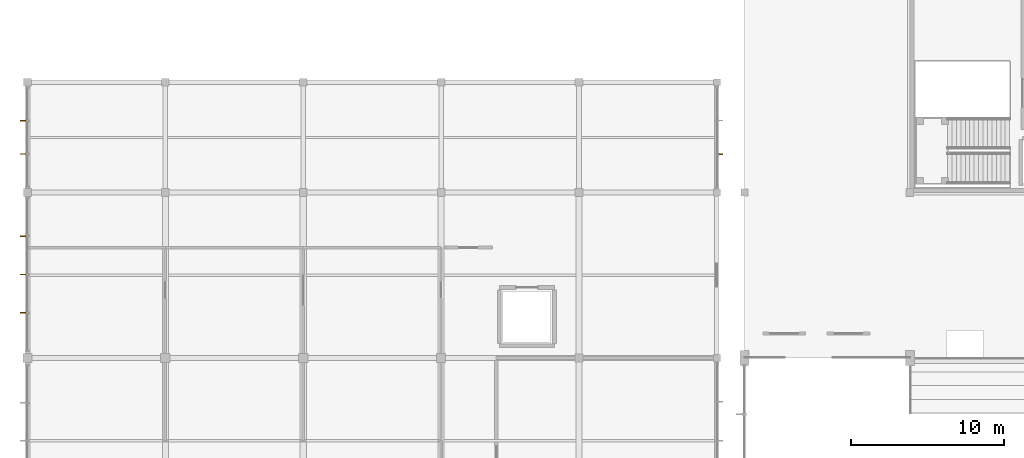
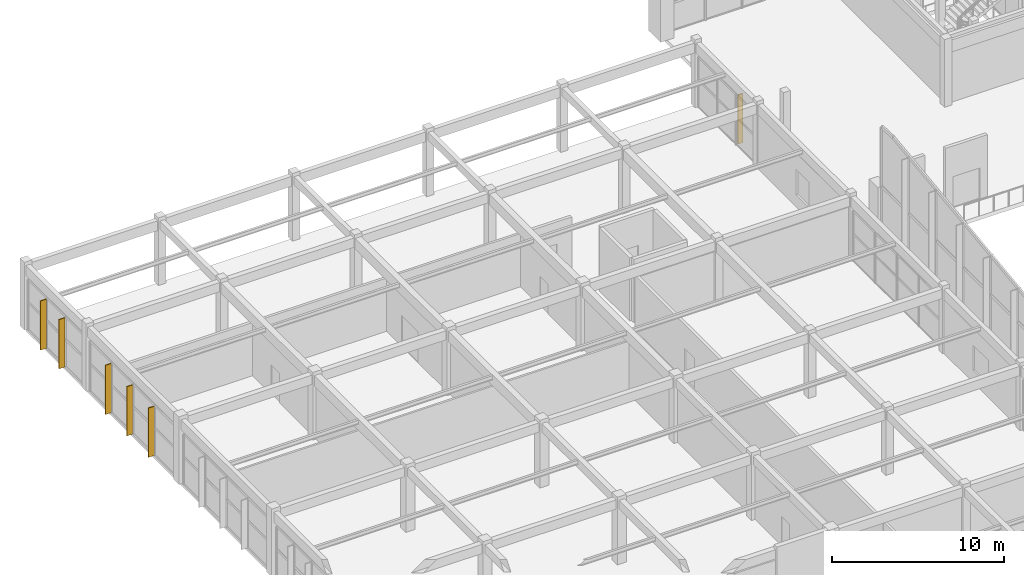
# One storey, part 64 of 74: 6 shading devices.
"""IFC4 building model written with IfcOpenShell, lengths in metres."""

from ifc_helpers import new_model, si_unit, direction, frame, origin, origin_2d, place, context, subcontext, project, spatial, rectangle, extrude, material, type_object, element, save


model = new_model("IFC4")

# Units and contexts
model_context = context("Model", 3, precision=1e-05, world=origin(), true_north=direction((0.0, 1.0)))
body_context = subcontext(model_context, "Body", "Model", "MODEL_VIEW")
ifc_project = project(units=[si_unit("LENGTHUNIT", "METRE"), si_unit("AREAUNIT", "SQUARE_METRE"), si_unit("VOLUMEUNIT", "CUBIC_METRE"), si_unit("PLANEANGLEUNIT", "RADIAN"), si_unit("MASSUNIT", "GRAM", prefix="KILO")], contexts=[model_context])

# Site, building, storey
site_placement = place(None, origin())
site = spatial("IfcSite", under=ifc_project, at=site_placement, CompositionType="ELEMENT")
building_placement = place(site_placement, origin())
building = spatial("IfcBuilding", under=site, at=building_placement, Name="Suirenkawa Promenade Aquatics Centre", CompositionType="ELEMENT")
storey_placement = place(building_placement, frame((0.0, 0.0, 4.800048828125)))
storey = spatial("IfcBuildingStorey", under=building, at=storey_placement, Name="L01", CompositionType="ELEMENT", Elevation=4.800048828125)

# Shading devices
ifc_material = material(Name="Anodised aluminium 6063-T6", Category="aluminium")
shading_device_type_1 = type_object("IfcShadingDeviceType", Name="SDT-KOUSHI-320", PredefinedType="USERDEFINED", material=ifc_material)
shading_device_placement = place(storey_placement, frame((45.23193359375, 110.499755859375, 0.0400390625), z_axis=(0.0, 0.0, 1.0), x_axis=(1.0, 0.0, 0.0)))
element("IfcShadingDevice", 1, at=shading_device_placement, inside=storey, type_object=shading_device_type_1, Name="Vertical solar shading fin FN-02 FIN-0142", ObjectType="FIN", PredefinedType="USERDEFINED", context=body_context, shape_type="SweptSolid", body=[
    extrude(rectangle(XDim=0.320068359375, YDim=0.06005859375, at=origin_2d()), origin(), (0.0, 0.0, 1.0), 3.489990234375),
])
shading_device_type_2 = type_object("IfcShadingDeviceType", Name="SDT-KOUSHI-400", PredefinedType="USERDEFINED", material=ifc_material)
for number, where, z_axis, x_axis, name in (
    (2, (-0.287109375, 100.1494140625, 0.0400390625), (0.0, 0.0, 1.0), (-1.0, 0.0, 0.0), "Vertical solar shading fin FN-01 FIN-0136"),
    (3, (-0.287109375, 102.64990234375, 0.0400390625), (0.0, 0.0, 1.0), (-1.0, 0.0, 0.0), "Vertical solar shading fin FN-01 FIN-0137"),
    (4, (-0.287109375, 105.150390625, 0.0400390625), (0.0, 0.0, 1.0), (-1.0, 0.0, 0.0), "Vertical solar shading fin FN-01 FIN-0138"),
    (5, (-0.287109375, 110.516357421875, 0.0400390625), (0.0, 0.0, 1.0), (-1.0, 0.0, 0.0), "Vertical solar shading fin FN-01 FIN-0139"),
    (6, (-0.287109375, 112.68359375, 0.0400390625), (0.0, 0.0, 1.0), (-1.0, 0.0, 0.0), "Vertical solar shading fin FN-01 FIN-0140"),
):
    element("IfcShadingDevice", number, at=place(storey_placement, frame(where, z_axis=z_axis, x_axis=x_axis)), inside=storey, type_object=shading_device_type_2, Name=name, ObjectType="FIN", PredefinedType="USERDEFINED", context=body_context, shape_type="SweptSolid", body=[
        extrude(rectangle(XDim=0.39990234375, YDim=0.06005859375, at=origin_2d()), origin(), (0.0, 0.0, 1.0), 3.489990234375),
    ])

save(model, "model.ifc")
